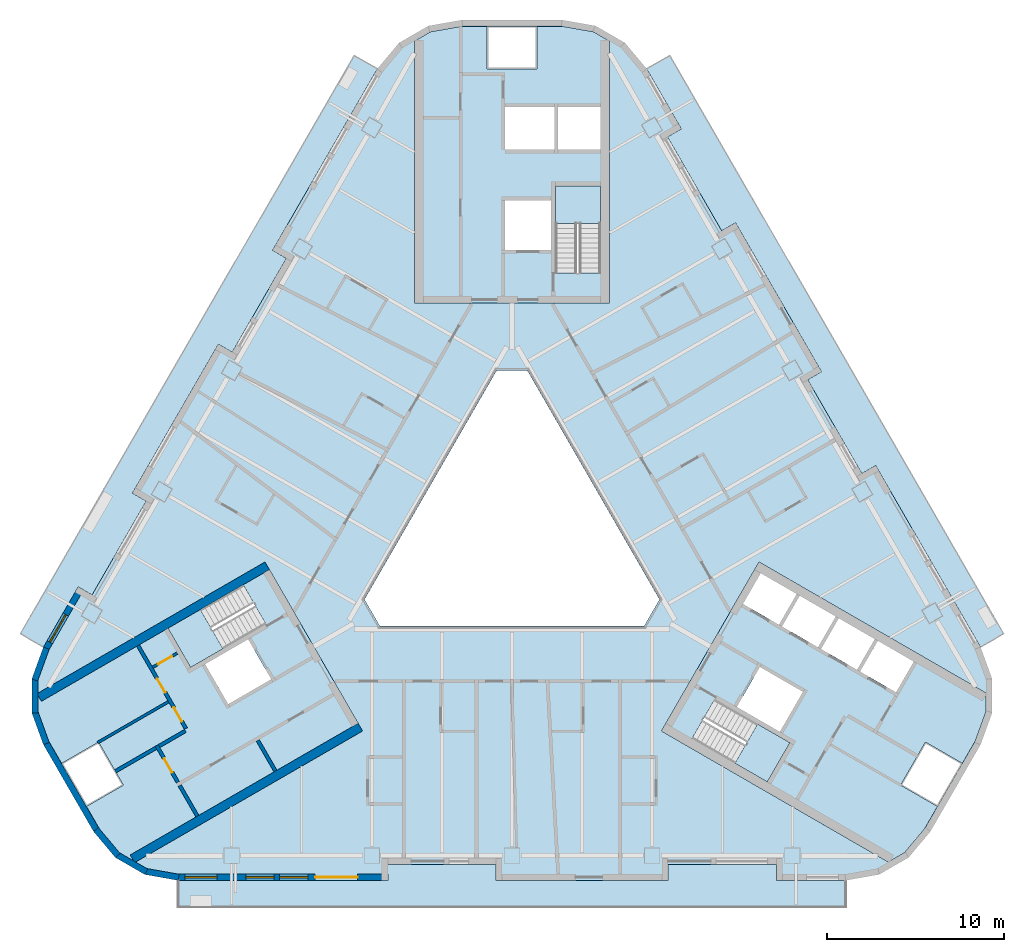
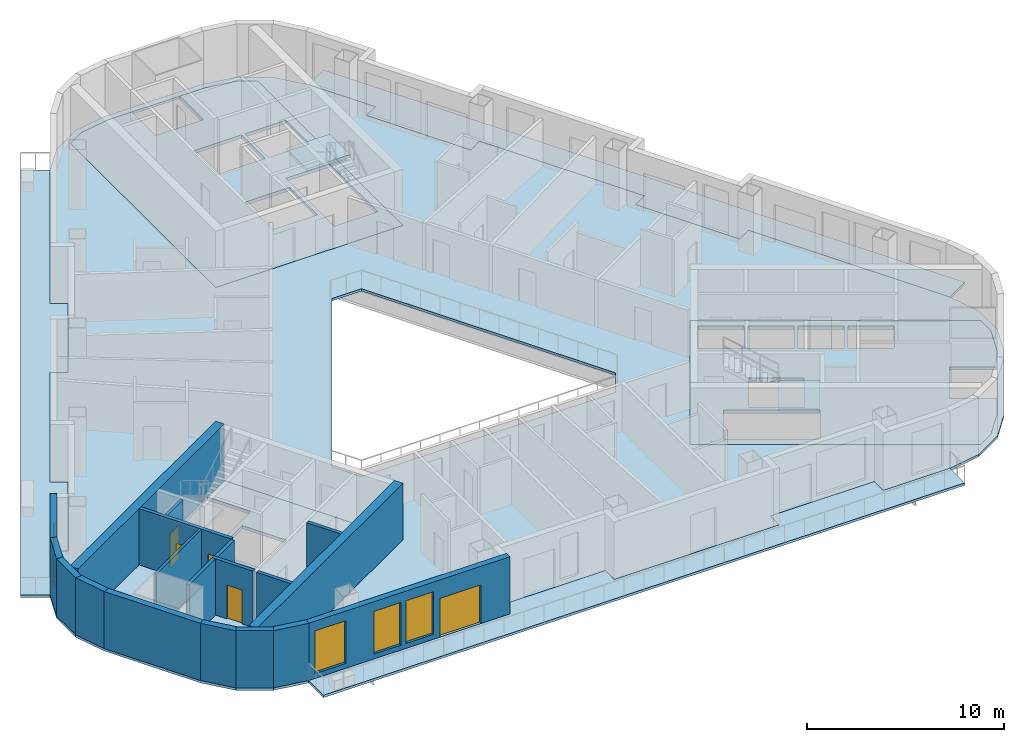
# One storey, part 2 of 14: 19 walls, 10 slabs, 5 doors, 4 windows, 9 openings, 3 elements without a shape of their own.
"""IFC4 building model written with IfcOpenShell, lengths in metres."""

from ifc_helpers import new_model, si_unit, direction, frame, frame_2d, origin, place, context, subcontext, project, spatial, polyline, rectangle, outline, extrude, material, layer, layer_set, type_object, element, fill, aggregate, save


model = new_model("IFC4")

# Units and contexts
model_context = context("Model", 3, precision=1e-05, world=origin(), true_north=direction((0.0, 1.0)))
body_context = subcontext(model_context, "Body", "Model", "MODEL_VIEW")
ifc_project = project(units=[si_unit("LENGTHUNIT", "METRE"), si_unit("AREAUNIT", "SQUARE_METRE"), si_unit("VOLUMEUNIT", "CUBIC_METRE"), si_unit("PLANEANGLEUNIT", "RADIAN"), si_unit("MASSUNIT", "GRAM", prefix="KILO")], contexts=[model_context])

# Site, building, storey
site_placement = place(None, origin())
site = spatial("IfcSite", under=ifc_project, at=site_placement, CompositionType="ELEMENT")
building_placement = place(site_placement, origin())
building = spatial("IfcBuilding", under=site, at=building_placement, Name="Apuvela Tower Hotel", CompositionType="ELEMENT")
storey_placement = place(building_placement, frame((0.0, 0.0, 87.199951171875)))
storey = spatial("IfcBuildingStorey", under=building, at=storey_placement, Name="L19", CompositionType="ELEMENT", Elevation=87.199951171875)

# Slabs
ifc_material_1 = material(Name="Concrete C50/60", Category="concrete")
ifc_layer_1 = layer(ifc_material_1, 0.199951171875)
ifc_layer_set_1 = layer_set([ifc_layer_1], Name="COR-FLOOR-200")
slab_type_1 = type_object("IfcSlabType", Name="COR-FLOOR-200", PredefinedType="FLOOR", material=ifc_layer_set_1)
slab_1_placement = place(storey_placement, frame((0.0, 0.0, -0.199951171875)))
element("IfcSlab", 1, at=slab_1_placement, inside=storey, type_object=slab_type_1, Name="Core floor N", PredefinedType="FLOOR", context=body_context, shape_type="SweptSolid", body=[
    extrude(outline(polyline([(5.5, 27.668212890625), (4.588623046875, 28.1943359375), (2.85498046875, 28.5), (1.39990234375, 28.5), (1.39990234375, 26.10009765625), (-1.39990234375, 26.10009765625), (-1.39990234375, 28.5), (-2.85498046875, 28.5), (-4.588623046875, 28.1943359375), (-5.5, 27.668212890625), (-5.5, 12.89990234375), (5.5, 12.89990234375), (5.5, 27.668212890625)]), holes=[polyline([(5.0, 14.60595703125), (2.449951171875, 14.60595703125), (2.449951171875, 19.5), (5.0, 19.5), (5.0, 14.60595703125)]), polyline([(2.199951171875, 15.89990234375), (-0.39990234375, 15.89990234375), (-0.39990234375, 18.699951171875), (2.199951171875, 18.699951171875), (2.199951171875, 15.89990234375)]), polyline([(5.0, 21.550048828125), (2.60009765625, 21.550048828125), (2.60009765625, 23.949951171875), (5.0, 23.949951171875), (5.0, 21.550048828125)]), polyline([(2.39990234375, 21.550048828125), (-0.39990234375, 21.550048828125), (-0.39990234375, 23.949951171875), (2.39990234375, 23.949951171875), (2.39990234375, 21.550048828125)])]), origin(), (0.0, 0.0, 1.0), 0.199951171875),
])
slab_2_placement = place(storey_placement, frame((0.0, 0.0, -0.199951171875)))
element("IfcSlab", 2, at=slab_2_placement, inside=storey, type_object=slab_type_1, Name="Core floor SW", PredefinedType="FLOOR", context=body_context, shape_type="SweptSolid", body=[
    extrude(outline(polyline([(-26.711181640625, -9.07080078125), (-26.711181640625, -10.123291015625), (-26.109375, -11.77734375), (-25.381591796875, -13.03759765625), (-23.30322265625, -11.837646484375), (-21.9033203125, -14.262451171875), (-23.981689453125, -15.46240234375), (-23.254150390625, -16.72265625), (-22.122802734375, -18.071044921875), (-21.211181640625, -18.59716796875), (-8.421630859375, -11.213134765625), (-13.921630859375, -1.68701171875), (-26.711181640625, -9.07080078125)]), holes=[polyline([(-13.874267578125, -5.18115234375), (-18.112548828125, -7.628173828125), (-19.387451171875, -5.419921875), (-15.149169921875, -2.972900390625), (-13.874267578125, -5.18115234375)]), polyline([(-13.56982421875, -8.29638671875), (-15.99462890625, -9.6962890625), (-17.294677734375, -7.444580078125), (-14.869873046875, -6.044677734375), (-13.56982421875, -8.29638671875)])]), origin(), (0.0, 0.0, 1.0), 0.199951171875),
])
slab_3_placement = place(storey_placement, frame((0.0, 0.0, -0.199951171875)))
element("IfcSlab", 3, at=slab_3_placement, inside=storey, type_object=slab_type_1, Name="Core floor SE", PredefinedType="FLOOR", context=body_context, shape_type="SweptSolid", body=[
    extrude(outline(polyline([(21.211181640625, -18.59716796875), (22.122802734375, -18.071044921875), (23.254150390625, -16.72265625), (23.981689453125, -15.46240234375), (21.9033203125, -14.262451171875), (23.30322265625, -11.837646484375), (25.381591796875, -13.03759765625), (26.109375, -11.77734375), (26.711181640625, -10.123291015625), (26.711181640625, -9.07080078125), (13.921630859375, -1.68701171875), (8.421630859375, -11.213134765625), (21.211181640625, -18.59716796875)]), holes=[polyline([(13.01806640625, -4.052001953125), (14.01806640625, -2.31982421875), (16.044677734375, -3.489990234375), (15.044677734375, -5.221923828125), (13.01806640625, -4.052001953125)]), polyline([(17.244384765625, -6.491943359375), (15.2177734375, -5.322021484375), (16.2177734375, -3.58984375), (18.244384765625, -4.760009765625), (17.244384765625, -6.491943359375)]), polyline([(14.387451171875, -14.080078125), (10.149169921875, -11.633056640625), (11.42431640625, -9.4248046875), (15.66259765625, -11.871826171875), (14.387451171875, -14.080078125)]), polyline([(12.669921875, -9.855224609375), (13.9697265625, -7.603515625), (16.394775390625, -9.003662109375), (15.0947265625, -11.25537109375), (12.669921875, -9.855224609375)]), polyline([(19.444091796875, -7.761962890625), (17.41748046875, -6.591796875), (18.41748046875, -4.85986328125), (20.444091796875, -6.02978515625), (19.444091796875, -7.761962890625)]), polyline([(21.643798828125, -9.031982421875), (19.6171875, -7.86181640625), (20.6171875, -6.1298828125), (22.643798828125, -7.2998046875), (21.643798828125, -9.031982421875)])]), origin(), (0.0, 0.0, 1.0), 0.199951171875),
])

# Stair, slab
stair_type = type_object("IfcStairType", Name="COR-STAIR-22R", PredefinedType="HALF_TURN_STAIR", material=ifc_material_1)
stair_1_placement = place(storey_placement, origin())
stair_1 = element("IfcStair", 4, at=stair_1_placement, inside=storey, type_object=stair_type, Name="L19 Exit stair ST1", PredefinedType="HALF_TURN_STAIR")
ifc_layer_2 = layer(ifc_material_1, 0.199951171875)
ifc_layer_set_2 = layer_set([ifc_layer_2], Name="COR-LANDING-200")
slab_type_2 = type_object("IfcSlabType", Name="COR-LANDING-200", PredefinedType="LANDING", material=ifc_layer_set_2)
slab_4_placement = place(storey_placement, frame((0.0, 0.0, 1.650146484375)))
slab_4 = element("IfcSlab", 5, at=slab_4_placement, type_object=slab_type_2, Name="ST1 landing 1", PredefinedType="LANDING", context=body_context, shape_type="SweptSolid", body=[
    extrude(outline(polyline([(5.0, 17.39404296875), (5.0, 19.5), (2.449951171875, 19.5), (2.449951171875, 17.39404296875), (5.0, 17.39404296875)])), origin(), (0.0, 0.0, 1.0), 0.199951171875),
])
aggregate(stair_1, [slab_4])

stair_2_placement = place(storey_placement, origin())
stair_2 = element("IfcStair", 6, at=stair_2_placement, inside=storey, type_object=stair_type, Name="L19 Exit stair ST2", PredefinedType="HALF_TURN_STAIR")
slab_5_placement = place(storey_placement, frame((0.0, 0.0, 1.650146484375)))
slab_5 = element("IfcSlab", 7, at=slab_5_placement, type_object=slab_type_2, Name="ST2 landing 1", PredefinedType="LANDING", context=body_context, shape_type="SweptSolid", body=[
    extrude(outline(polyline([(-17.563720703125, -4.366943359375), (-19.387451171875, -5.419921875), (-18.112548828125, -7.628173828125), (-16.28857421875, -6.5751953125), (-17.563720703125, -4.366943359375)])), origin(), (0.0, 0.0, 1.0), 0.199951171875),
])
aggregate(stair_2, [slab_5])

stair_3_placement = place(storey_placement, origin())
stair_3 = element("IfcStair", 8, at=stair_3_placement, inside=storey, type_object=stair_type, Name="L19 Exit stair ST3", PredefinedType="HALF_TURN_STAIR")
slab_6_placement = place(storey_placement, frame((0.0, 0.0, 1.650146484375)))
slab_6 = element("IfcSlab", 9, at=slab_6_placement, type_object=slab_type_2, Name="ST3 landing 1", PredefinedType="LANDING", context=body_context, shape_type="SweptSolid", body=[
    extrude(outline(polyline([(12.563720703125, -13.027099609375), (14.387451171875, -14.080078125), (15.66259765625, -11.871826171875), (13.838623046875, -10.81884765625), (12.563720703125, -13.027099609375)])), origin(), (0.0, 0.0, 1.0), 0.199951171875),
])
aggregate(stair_3, [slab_6])

# Slabs
ifc_material_2 = material(Name="Concrete C40/50, fair-faced", Category="concrete")
ifc_layer_3 = layer(ifc_material_2, 0.14990234375)
ifc_layer_set_3 = layer_set([ifc_layer_3], Name="ENV-BALCONY-150")
slab_type_3 = type_object("IfcSlabType", Name="ENV-BALCONY-150", PredefinedType="FLOOR", material=ifc_layer_set_3)
slab_7_placement = place(storey_placement, frame((0.0, 0.0, -0.14990234375)))
element("IfcSlab", 10, at=slab_7_placement, inside=storey, type_object=slab_type_3, Name="Balcony slab S L19", PredefinedType="FLOOR", context=body_context, shape_type="SweptSolid", body=[
    extrude(outline(polyline([(18.82080078125, -21.135009765625), (-18.82080078125, -21.135009765625), (-18.82080078125, -19.625), (-7.0048828125, -19.625), (-7.0048828125, -18.72509765625), (-0.89501953125, -18.72509765625), (-0.89501953125, -19.625), (8.794921875, -19.625), (8.794921875, -18.72509765625), (14.905029296875, -18.72509765625), (14.905029296875, -19.625), (18.82080078125, -19.625), (18.82080078125, -21.135009765625)])), origin(), (0.0, 0.0, 1.0), 0.14990234375),
])
slab_8_placement = place(storey_placement, frame((0.0, 0.0, -0.14990234375)))
element("IfcSlab", 11, at=slab_8_placement, inside=storey, type_object=slab_type_3, Name="Balcony slab NE L19", PredefinedType="FLOOR", context=body_context, shape_type="SweptSolid", body=[
    extrude(outline(polyline([(17.443359375, 9.037353515625), (12.598388671875, 17.42919921875), (11.81884765625, 16.979248046875), (8.763916015625, 22.2705078125), (9.543212890625, 22.720703125), (7.585205078125, 26.11181640625), (8.89306640625, 26.86669921875), (27.7138671875, -5.731689453125), (26.40625, -6.48681640625), (20.498291015625, 3.74609375), (19.71875, 3.2958984375), (16.663818359375, 8.58740234375), (17.443359375, 9.037353515625)])), origin(), (0.0, 0.0, 1.0), 0.14990234375),
])
slab_9_placement = place(storey_placement, frame((0.0, 0.0, -0.14990234375)))
element("IfcSlab", 12, at=slab_9_placement, inside=storey, type_object=slab_type_3, Name="Balcony slab NW L19", PredefinedType="FLOOR", context=body_context, shape_type="SweptSolid", body=[
    extrude(outline(polyline([(-27.7138671875, -5.731689453125), (-8.89306640625, 26.86669921875), (-7.585205078125, 26.11181640625), (-13.4931640625, 15.87890625), (-12.7138671875, 15.428955078125), (-15.768798828125, 10.1376953125), (-16.548095703125, 10.587646484375), (-21.393310546875, 2.19580078125), (-20.61376953125, 1.745849609375), (-23.668701171875, -3.545654296875), (-24.4482421875, -3.095703125), (-26.40625, -6.48681640625), (-27.7138671875, -5.731689453125)])), origin(), (0.0, 0.0, 1.0), 0.14990234375),
])
ifc_material_3 = material(Name="Concrete C35/45", Category="concrete")
ifc_layer_4 = layer(ifc_material_3, 0.14990234375)
ifc_layer_set_4 = layer_set([ifc_layer_4], Name="STR-SLAB 150 floor Concrete C35/45")
slab_type_4 = type_object("IfcSlabType", Name="STR-SLAB 150 floor Concrete C35/45", PredefinedType="FLOOR", material=ifc_layer_set_4)
slab_10_placement = place(storey_placement, frame((0.0, 0.0, -0.14990234375)))
element("IfcSlab", 13, at=slab_10_placement, inside=storey, type_object=slab_type_4, Name="Floor slab S4 L19", PredefinedType="FLOOR", context=body_context, shape_type="SweptSolid", body=[
    extrude(outline(polyline([(-6.3642578125, 27.5732421875), (-4.710205078125, 28.5283203125), (-2.8291015625, 28.860107421875), (2.8291015625, 28.860107421875), (4.710205078125, 28.5283203125), (6.3642578125, 27.5732421875), (7.59228515625, 26.110107421875), (9.550048828125, 22.71875), (8.770751953125, 22.268798828125), (11.82080078125, 16.986083984375), (12.60009765625, 17.43603515625), (17.4501953125, 9.035400390625), (16.670654296875, 8.58544921875), (19.720703125, 3.302734375), (20.5, 3.752685546875), (26.407958984375, -6.47998046875), (27.061279296875, -8.27490234375), (27.061279296875, -10.18505859375), (26.407958984375, -11.97998046875), (23.5791015625, -16.8798828125), (22.351318359375, -18.34326171875), (20.697021484375, -19.29833984375), (18.81591796875, -19.6298828125), (14.89990234375, -19.6298828125), (14.89990234375, -18.72998046875), (8.800048828125, -18.72998046875), (8.800048828125, -19.6298828125), (-0.89990234375, -19.6298828125), (-0.89990234375, -18.72998046875), (-7.0, -18.72998046875), (-7.0, -19.6298828125), (-18.81591796875, -19.6298828125), (-20.697021484375, -19.29833984375), (-22.351318359375, -18.34326171875), (-23.5791015625, -16.8798828125), (-26.407958984375, -11.97998046875), (-27.061279296875, -10.18505859375), (-27.061279296875, -8.27490234375), (-26.407958984375, -6.47998046875), (-24.4501953125, -3.088623046875), (-23.670654296875, -3.538818359375), (-20.62060546875, 1.743896484375), (-21.400146484375, 2.194091796875), (-16.550048828125, 10.594482421875), (-15.7705078125, 10.14453125), (-12.720703125, 15.42724609375), (-13.5, 15.877197265625), (-7.59228515625, 26.110107421875), (-6.3642578125, 27.5732421875)]), holes=[polyline([(0.865966796875, 9.10009765625), (-0.865966796875, 9.10009765625), (-8.313720703125, -3.800048828125), (-7.44775390625, -5.300048828125), (7.44775390625, -5.300048828125), (8.313720703125, -3.800048828125), (0.865966796875, 9.10009765625)]), polyline([(-5.5, 12.89990234375), (-5.5, 27.668212890625), (-4.588623046875, 28.1943359375), (-2.85498046875, 28.5), (2.85498046875, 28.5), (4.588623046875, 28.1943359375), (5.5, 27.668212890625), (5.5, 12.89990234375), (-5.5, 12.89990234375)]), polyline([(-8.421630859375, -11.213134765625), (-21.211181640625, -18.59716796875), (-22.122802734375, -18.071044921875), (-23.254150390625, -16.72265625), (-26.109375, -11.77734375), (-26.711181640625, -10.123291015625), (-26.711181640625, -9.07080078125), (-13.921630859375, -1.68701171875), (-8.421630859375, -11.213134765625)]), polyline([(13.921630859375, -1.68701171875), (26.711181640625, -9.07080078125), (26.711181640625, -10.123291015625), (26.109375, -11.77734375), (23.254150390625, -16.72265625), (22.122802734375, -18.071044921875), (21.211181640625, -18.59716796875), (8.421630859375, -11.213134765625), (13.921630859375, -1.68701171875)])]), origin(), (0.0, 0.0, 1.0), 0.14990234375),
])

# Walls
ifc_layer_5 = layer(ifc_material_1, 0.5)
ifc_layer_set_5 = layer_set([ifc_layer_5], Name="COR-WALL-CORE-500")
wall_type_1 = type_object("IfcWallType", Name="COR-WALL-CORE-500", PredefinedType="SHEAR", material=ifc_layer_set_5)
for number, where, z_axis, x_axis, name in (
    (14, (-13.796630859375, -1.9033203125, 0.0), (0.0, 0.0, 1.0), (-0.866025009528, -0.500000682871, 0.0), "Core wall SW"),
    (15, (-8.546630859375, -10.99658203125, 0.0), (0.0, 0.0, 1.0), (-0.866025009528, -0.500000682871, 0.0), "Core wall SW"),
):
    element("IfcWall", number, at=place(storey_placement, frame(where, z_axis=z_axis, x_axis=x_axis)), inside=storey, type_object=wall_type_1, Name=name, PredefinedType="SHEAR", context=body_context, shape_type="SweptSolid", body=[
        extrude(rectangle(XDim=14.8369140625, YDim=0.5, at=frame_2d((7.41845703125, 0.0))), origin(), (0.0, 0.0, 1.0), 3.5),
    ])

# Wall, opening, door
ifc_material_4 = material(Name="Blockwork 150 mm plastered", Category="masonry")
ifc_layer_6 = layer(ifc_material_4, 0.14990234375)
ifc_layer_set_6 = layer_set([ifc_layer_6], Name="COR-WALL-PART-150")
wall_type_2 = type_object("IfcWallType", Name="COR-WALL-PART-150", PredefinedType="PARTITIONING", material=ifc_layer_set_6)
wall_1_placement = place(storey_placement, frame((-18.866455078125, -6.822265625, 0.0), z_axis=(0.0, 0.0, 1.0), x_axis=(-0.866028054938, -0.499995408039, 0.0)))
wall_1 = element("IfcWall", 16, at=wall_1_placement, inside=storey, type_object=wall_type_2, Name="Partition SW", PredefinedType="PARTITIONING", context=body_context, shape_type="SweptSolid", body=[
    extrude(rectangle(XDim=1.60009765625, YDim=0.14990234375, at=frame_2d((0.800048828125, 0.0))), origin(), (0.0, 0.0, 1.0), 3.5),
])
opening_1_placement = place(wall_1_placement, frame((0.35009765625, 0.0, 0.0)))
opening_1 = element("IfcOpeningElement", 17, at=opening_1_placement, cuts=wall_1, Name="Opening W-RD", PredefinedType="OPENING", context=body_context, shape_type="SweptSolid", body=[
    extrude(rectangle(XDim=0.89990234375, YDim=2.10009765625, at=frame_2d((0.449951171875, 1.050048828125))), frame((0.0, 0.0849609375, 0.0), z_axis=(0.0, -1.0, 0.0), x_axis=(1.0, 0.0, 0.0)), (0.0, 0.0, 1.0), 0.169921875),
])
ifc_material_5 = material(Name="Steel access door, powder coated", Category="steel")
door_type_1 = type_object("IfcDoorType", Name="COR-RD-900", OperationType="NOTDEFINED", PredefinedType="DOOR", material=ifc_material_5)
door_1_placement = place(opening_1_placement, frame((0.89990234375, 0.0, 0.0), z_axis=(0.0, 0.0, 1.0), x_axis=(-1.0, 0.0, 0.0)))
door_1 = element("IfcDoor", 18, at=door_1_placement, inside=storey, type_object=door_type_1, Name="Riser door W-RD", OperationType="SINGLE_SWING_RIGHT", OverallHeight=2.10009765625, OverallWidth=0.89990234375, PredefinedType="DOOR", context=body_context, shape_type="SweptSolid", body=[
    extrude(rectangle(XDim=0.89990234375, YDim=2.10009765625, at=frame_2d((0.449951171875, 1.050048828125))), frame((0.0, 0.02490234375, 0.0), z_axis=(0.0, -1.0, 0.0), x_axis=(1.0, 0.0, 0.0)), (0.0, 0.0, 1.0), 0.050048828125),
])
fill(opening_1, door_1)

# Wall
wall_2_placement = place(storey_placement, frame((-19.36279296875, -9.5625, 0.0), z_axis=(0.0, 0.0, 1.0), x_axis=(-0.86601185002, -0.500023475074, 0.0)))
element("IfcWall", 19, at=wall_2_placement, inside=storey, type_object=wall_type_2, Name="Partition SW", PredefinedType="PARTITIONING", context=body_context, shape_type="SweptSolid", body=[
    extrude(rectangle(XDim=4.610107421875, YDim=0.14990234375, at=frame_2d((2.30517578125, 0.0))), origin(), (0.0, 0.0, 1.0), 3.5),
])

# Wall, openings, doors
ifc_material_6 = material(Name="Blockwork 200 mm plastered", Category="masonry")
ifc_layer_7 = layer(ifc_material_6, 0.199951171875)
ifc_layer_set_7 = layer_set([ifc_layer_7], Name="COR-WALL-PART-200")
wall_type_3 = type_object("IfcWallType", Name="COR-WALL-PART-200", PredefinedType="PARTITIONING", material=ifc_layer_set_7)
wall_3_placement = place(storey_placement, frame((-21.076171875, -6.39501953125, 0.0), z_axis=(0.0, 0.0, 1.0), x_axis=(0.50001468107, -0.866016927499, 0.0)))
wall_3 = element("IfcWall", 20, at=wall_3_placement, inside=storey, type_object=wall_type_3, Name="Partition SW", PredefinedType="PARTITIONING", context=body_context, shape_type="SweptSolid", body=[
    extrude(rectangle(XDim=5.399658203125, YDim=0.199951171875, at=frame_2d((2.69970703125, 0.0))), origin(), (0.0, 0.0, 1.0), 3.5),
])
opening_2_placement = place(wall_3_placement, frame((2.16259765625, 0.0, 0.0)))
opening_2 = element("IfcOpeningElement", 21, at=opening_2_placement, cuts=wall_3, Name="Opening W-RS1", PredefinedType="OPENING", context=body_context, shape_type="SweptSolid", body=[
    extrude(rectangle(XDim=0.89990234375, YDim=2.10009765625, at=frame_2d((0.449951171875, 1.050048828125))), frame((0.0, 0.10986328125, 0.0), z_axis=(0.0, -1.0, 0.0), x_axis=(1.0, 0.0, 0.0)), (0.0, 0.0, 1.0), 0.219970703125),
])
opening_3_placement = place(wall_3_placement, frame((4.03759765625, 0.0, 0.0)))
opening_3 = element("IfcOpeningElement", 22, at=opening_3_placement, cuts=wall_3, Name="Opening W-RS2", PredefinedType="OPENING", context=body_context, shape_type="SweptSolid", body=[
    extrude(rectangle(XDim=0.89990234375, YDim=2.10009765625, at=frame_2d((0.449951171875, 1.050048828125))), frame((0.0, 0.10986328125, 0.0), z_axis=(0.0, -1.0, 0.0), x_axis=(1.0, 0.0, 0.0)), (0.0, 0.0, 1.0), 0.219970703125),
])
ifc_material_7 = material(Name="Steel fire door, powder coated", Category="steel")
door_type_2 = type_object("IfcDoorType", Name="COR-DR-900", OperationType="NOTDEFINED", PredefinedType="DOOR", material=ifc_material_7)
door_2_placement = place(opening_2_placement, frame((0.89990234375, 0.0, 0.0), z_axis=(0.0, 0.0, 1.0), x_axis=(-1.0, 0.0, 0.0)))
door_2 = element("IfcDoor", 23, at=door_2_placement, inside=storey, type_object=door_type_2, Name="Store door W-RS1", OperationType="SINGLE_SWING_LEFT", OverallHeight=2.10009765625, OverallWidth=0.89990234375, PredefinedType="DOOR", context=body_context, shape_type="SweptSolid", body=[
    extrude(rectangle(XDim=0.89990234375, YDim=2.10009765625, at=frame_2d((0.449951171875, 1.050048828125))), frame((0.0, 0.02490234375, 0.0), z_axis=(0.0, -1.0, 0.0), x_axis=(1.0, 0.0, 0.0)), (0.0, 0.0, 1.0), 0.050048828125),
])
fill(opening_2, door_2)
door_3_placement = place(opening_3_placement, frame((0.89990234375, 0.0, 0.0), z_axis=(0.0, 0.0, 1.0), x_axis=(-1.0, 0.0, 0.0)))
door_3 = element("IfcDoor", 24, at=door_3_placement, inside=storey, type_object=door_type_2, Name="Store door W-RS2", OperationType="SINGLE_SWING_LEFT", OverallHeight=2.10009765625, OverallWidth=0.89990234375, PredefinedType="DOOR", context=body_context, shape_type="SweptSolid", body=[
    extrude(rectangle(XDim=0.89990234375, YDim=2.10009765625, at=frame_2d((0.449951171875, 1.050048828125))), frame((0.0, 0.02490234375, 0.0), z_axis=(0.0, -1.0, 0.0), x_axis=(1.0, 0.0, 0.0)), (0.0, 0.0, 1.0), 0.050048828125),
])
fill(opening_3, door_3)

# Wall, opening, door
ifc_layer_8 = layer(ifc_material_1, 0.199951171875)
ifc_layer_set_8 = layer_set([ifc_layer_8], Name="COR-WALL-SHAFT-200")
wall_type_4 = type_object("IfcWallType", Name="COR-WALL-SHAFT-200", PredefinedType="SHEAR", material=ifc_layer_set_8)
wall_4_placement = place(storey_placement, frame((-20.030517578125, -12.0263671875, 0.0), z_axis=(0.0, 0.0, 1.0), x_axis=(0.500033551112, -0.866006032174, 0.0)))
wall_4 = element("IfcWall", 25, at=wall_4_placement, inside=storey, type_object=wall_type_4, Name="Shaft wall SW", PredefinedType="SHEAR", context=body_context, shape_type="SweptSolid", body=[
    extrude(rectangle(XDim=2.400146484375, YDim=0.199951171875, at=frame_2d((1.2001953125, 0.0))), origin(), (0.0, 0.0, 1.0), 3.5),
])
opening_4_placement = place(wall_4_placement, frame((0.85009765625, 0.0, 0.0)))
opening_4 = element("IfcOpeningElement", 26, at=opening_4_placement, cuts=wall_4, Name="Opening W-REP", PredefinedType="OPENING", context=body_context, shape_type="SweptSolid", body=[
    extrude(rectangle(XDim=0.89990234375, YDim=2.10009765625, at=frame_2d((0.449951171875, 1.050048828125))), frame((0.0, 0.10986328125, 0.0), z_axis=(0.0, -1.0, 0.0), x_axis=(1.0, 0.0, 0.0)), (0.0, 0.0, 1.0), 0.219970703125),
])
door_4_placement = place(opening_4_placement, frame((0.89990234375, 0.0, 0.0), z_axis=(0.0, 0.0, 1.0), x_axis=(-1.0, 0.0, 0.0)))
door_4 = element("IfcDoor", 27, at=door_4_placement, inside=storey, type_object=door_type_2, Name="Store door W-REP", OperationType="SINGLE_SWING_LEFT", OverallHeight=2.10009765625, OverallWidth=0.89990234375, PredefinedType="DOOR", context=body_context, shape_type="SweptSolid", body=[
    extrude(rectangle(XDim=0.89990234375, YDim=2.10009765625, at=frame_2d((0.449951171875, 1.050048828125))), frame((0.0, 0.02490234375, 0.0), z_axis=(0.0, -1.0, 0.0), x_axis=(1.0, 0.0, 0.0)), (0.0, 0.0, 1.0), 0.050048828125),
])
fill(opening_4, door_4)

# Walls
wall_5_placement = place(storey_placement, frame((-18.412841796875, -11.2080078125, 0.0), z_axis=(0.0, 0.0, 1.0), x_axis=(-0.866038183914, -0.499977863513, 0.0)))
element("IfcWall", 28, at=wall_5_placement, inside=storey, type_object=wall_type_4, Name="Shaft wall SW", PredefinedType="SHEAR", context=body_context, shape_type="SweptSolid", body=[
    extrude(rectangle(XDim=1.7099609375, YDim=0.199951171875, at=frame_2d((0.85498046875, 0.0))), origin(), (0.0, 0.0, 1.0), 3.5),
])
for number, where, z_axis, x_axis, name in (
    (29, (-14.330810546875, -11.738037109375, 0.0), (0.0, 0.0, 1.0), (0.499972520799, -0.866041268327, 0.0), "Shaft wall SW"),
    (30, (-18.73046875, -14.278076171875, 0.0), (0.0, 0.0, 1.0), (0.50002537861, -0.866010750942, 0.0), "Shaft wall SW"),
):
    element("IfcWall", number, at=place(storey_placement, frame(where, z_axis=z_axis, x_axis=x_axis)), inside=storey, type_object=wall_type_4, Name=name, PredefinedType="SHEAR", context=body_context, shape_type="SweptSolid", body=[
        extrude(rectangle(XDim=2.0, YDim=0.199951171875, at=frame_2d((1.0, 0.0))), origin(), (0.0, 0.0, 1.0), 3.5),
    ])
wall_6_placement = place(storey_placement, frame((-20.06689453125, -12.1630859375, 0.0), z_axis=(0.0, 0.0, 1.0), x_axis=(-0.866060851709, -0.499938597367, 0.0)))
element("IfcWall", 31, at=wall_6_placement, inside=storey, type_object=wall_type_4, Name="Shaft wall SW", PredefinedType="SHEAR", context=body_context, shape_type="SweptSolid", body=[
    extrude(rectangle(XDim=2.639892578125, YDim=0.199951171875, at=frame_2d((1.31982421875, 0.0))), origin(), (0.0, 0.0, 1.0), 3.5),
])

# Wall, opening, window
ifc_material_8 = material(Name="Concrete C40/50, dark pigmented precast panel", Category="concrete")
ifc_layer_9 = layer(ifc_material_8, 0.35009765625)
ifc_layer_set_9 = layer_set([ifc_layer_9], Name="ENV-WALL-350")
wall_type_5 = type_object("IfcWallType", Name="ENV-WALL-350", PredefinedType="SOLIDWALL", material=ifc_layer_set_9)
wall_7_placement = place(storey_placement, frame((-24.298583984375, -3.17626953125, 0.0), z_axis=(0.0, 0.0, 1.0), x_axis=(-0.500028278809, -0.866009076391, 0.0)))
wall_7 = element("IfcWall", 32, at=wall_7_placement, inside=storey, type_object=wall_type_5, Name="External wall L19-09", PredefinedType="SOLIDWALL", context=body_context, shape_type="SweptSolid", body=[
    extrude(rectangle(XDim=3.915771484375, YDim=0.35009765625, at=frame_2d((1.9580078125, 0.0))), origin(), (0.0, 0.0, 1.0), 3.550048828125),
])
opening_5_placement = place(wall_7_placement, frame((1.699951171875, 0.0, 0.300048828125)))
opening_5 = element("IfcOpeningElement", 33, at=opening_5_placement, cuts=wall_7, Name="Opening WN18", PredefinedType="OPENING", context=body_context, shape_type="SweptSolid", body=[
    extrude(rectangle(XDim=1.800048828125, YDim=2.64990234375, at=frame_2d((0.89990234375, 1.324951171875))), frame((0.0, 0.18505859375, 0.0), z_axis=(0.0, -1.0, 0.0), x_axis=(1.0, 0.0, 0.0)), (0.0, 0.0, 1.0), 0.3701171875),
])
ifc_material_9 = material(Name="Glass, dark tinted laminated insulated glazing unit", Category="glass")
window_type_1 = type_object("IfcWindowType", Name="ENV-WIN-1800x2650", PartitioningType="SINGLE_PANEL", PredefinedType="WINDOW", material=ifc_material_9)
window_1_placement = place(opening_5_placement, origin())
window_1 = element("IfcWindow", 34, at=window_1_placement, inside=storey, type_object=window_type_1, Name="Window WN18", OverallHeight=2.64990234375, OverallWidth=1.800048828125, PartitioningType="SINGLE_PANEL", PredefinedType="WINDOW", context=body_context, shape_type="SweptSolid", body=[
    extrude(rectangle(XDim=1.800048828125, YDim=2.64990234375, at=frame_2d((0.89990234375, 1.324951171875))), frame((0.0, 0.030029296875, 0.0), z_axis=(0.0, -1.0, 0.0), x_axis=(1.0, 0.0, 0.0)), (0.0, 0.0, 1.0), 0.06005859375),
])
fill(opening_5, window_1)

# Walls
for number, where, z_axis, x_axis, name in (
    (35, (-26.24365234375, -6.539794921875, 0.0), (0.0, 0.0, 1.0), (-0.342030395486, -0.939688889242, 0.0), "External wall L19-10"),
    (36, (-26.88623046875, -8.27490234375, 0.0), (0.0, 0.0, 1.0), (0.0, -1.0, 0.0), "External wall L19-11"),
    (37, (-26.89697265625, -10.125244140625, 0.0), (0.0, 0.0, 1.0), (0.342030395486, -0.939688889242, 0.0), "External wall L19-12"),
):
    element("IfcWall", number, at=place(storey_placement, frame(where, z_axis=z_axis, x_axis=x_axis)), inside=storey, type_object=wall_type_5, Name=name, PredefinedType="SOLIDWALL", context=body_context, shape_type="SweptSolid", body=[
        extrude(rectangle(XDim=1.91015625, YDim=0.35009765625, at=frame_2d((0.955078125, 0.0))), origin(), (0.0, 0.0, 1.0), 3.550048828125),
    ])
wall_8_placement = place(storey_placement, frame((-26.256591796875, -11.892578125, 0.0), z_axis=(0.0, 0.0, 1.0), x_axis=(0.500018773155, -0.866014564827, 0.0)))
element("IfcWall", 38, at=wall_8_placement, inside=storey, type_object=wall_type_5, Name="External wall L19-13", PredefinedType="SOLIDWALL", context=body_context, shape_type="SweptSolid", body=[
    extrude(rectangle(XDim=5.657958984375, YDim=0.35009765625, at=frame_2d((2.8291015625, 0.0))), origin(), (0.0, 0.0, 1.0), 3.550048828125),
])
for number, where, z_axis, x_axis, name in (
    (39, (-23.44482421875, -16.767578125, 0.0), (0.0, 0.0, 1.0), (0.642733291068, -0.76609001857, 0.0), "External wall L19-14"),
    (40, (-22.263671875, -18.191650390625, 0.0), (0.0, 0.0, 1.0), (0.866000389056, -0.500043324278, 0.0), "External wall L19-15"),
):
    element("IfcWall", number, at=place(storey_placement, frame(where, z_axis=z_axis, x_axis=x_axis)), inside=storey, type_object=wall_type_5, Name=name, PredefinedType="SOLIDWALL", context=body_context, shape_type="SweptSolid", body=[
        extrude(rectangle(XDim=1.909912109375, YDim=0.35009765625, at=frame_2d((0.955078125, 0.0))), origin(), (0.0, 0.0, 1.0), 3.550048828125),
    ])
wall_9_placement = place(storey_placement, frame((-20.66650390625, -19.1259765625, 0.0), z_axis=(0.0, 0.0, 1.0), x_axis=(0.984798995425, -0.173697837091, 0.0)))
element("IfcWall", 41, at=wall_9_placement, inside=storey, type_object=wall_type_5, Name="External wall L19-16", PredefinedType="SOLIDWALL", context=body_context, shape_type="SweptSolid", body=[
    extrude(rectangle(XDim=1.91015625, YDim=0.35009765625, at=frame_2d((0.955078125, 0.0))), origin(), (0.0, 0.0, 1.0), 3.550048828125),
])

# Wall, openings, door, windows
wall_10_placement = place(storey_placement, frame((-18.81591796875, -19.455078125, 0.0), z_axis=(0.0, 0.0, 1.0), x_axis=(1.0, 0.0, 0.0)))
wall_10 = element("IfcWall", 42, at=wall_10_placement, inside=storey, type_object=wall_type_5, Name="External wall L19-17", PredefinedType="SOLIDWALL", context=body_context, shape_type="SweptSolid", body=[
    extrude(rectangle(XDim=11.81591796875, YDim=0.35009765625, at=frame_2d((5.907958984375, 0.0))), origin(), (0.0, 0.0, 1.0), 3.550048828125),
])
opening_6_placement = place(wall_10_placement, frame((0.380615234375, 0.0, 0.300048828125)))
opening_6 = element("IfcOpeningElement", 43, at=opening_6_placement, cuts=wall_10, Name="Opening WN18", PredefinedType="OPENING", context=body_context, shape_type="SweptSolid", body=[
    extrude(rectangle(XDim=1.800048828125, YDim=2.64990234375, at=frame_2d((0.89990234375, 1.324951171875))), frame((0.0, 0.18505859375, 0.0), z_axis=(0.0, -1.0, 0.0), x_axis=(1.0, 0.0, 0.0)), (0.0, 0.0, 1.0), 0.3701171875),
])
opening_7_placement = place(wall_10_placement, frame((7.71630859375, 0.0, 0.0)))
opening_7 = element("IfcOpeningElement", 44, at=opening_7_placement, cuts=wall_10, Name="Opening BD24", PredefinedType="OPENING", context=body_context, shape_type="SweptSolid", body=[
    extrude(rectangle(XDim=2.39990234375, YDim=2.39990234375, at=frame_2d((1.199951171875, 1.199951171875))), frame((0.0, 0.18505859375, 0.0), z_axis=(0.0, -1.0, 0.0), x_axis=(1.0, 0.0, 0.0)), (0.0, 0.0, 1.0), 0.3701171875),
])
opening_8_placement = place(wall_10_placement, frame((3.816162109375, 0.0, 0.300048828125)))
opening_8 = element("IfcOpeningElement", 45, at=opening_8_placement, cuts=wall_10, Name="Opening WN16", PredefinedType="OPENING", context=body_context, shape_type="SweptSolid", body=[
    extrude(rectangle(XDim=1.60009765625, YDim=2.64990234375, at=frame_2d((0.800048828125, 1.324951171875))), frame((0.0, 0.18505859375, 0.0), z_axis=(0.0, -1.0, 0.0), x_axis=(1.0, 0.0, 0.0)), (0.0, 0.0, 1.0), 0.3701171875),
])
opening_9_placement = place(wall_10_placement, frame((5.71630859375, 0.0, 0.300048828125)))
opening_9 = element("IfcOpeningElement", 46, at=opening_9_placement, cuts=wall_10, Name="Opening WN16", PredefinedType="OPENING", context=body_context, shape_type="SweptSolid", body=[
    extrude(rectangle(XDim=1.60009765625, YDim=2.64990234375, at=frame_2d((0.800048828125, 1.324951171875))), frame((0.0, 0.18505859375, 0.0), z_axis=(0.0, -1.0, 0.0), x_axis=(1.0, 0.0, 0.0)), (0.0, 0.0, 1.0), 0.3701171875),
])
ifc_material_10 = material(Name="Aluminium 6063-T6, dark bronze anodised frame with dark tinted laminated glass", Category="aluminium")
door_type_3 = type_object("IfcDoorType", Name="ENV-DOOR-BALCONY-2400x2400", OperationType="SLIDING_TO_LEFT", PredefinedType="DOOR", material=ifc_material_10)
door_5_placement = place(opening_7_placement, frame((2.39990234375, 0.0, 0.0), z_axis=(0.0, 0.0, 1.0), x_axis=(-1.0, 0.0, 0.0)))
door_5 = element("IfcDoor", 47, at=door_5_placement, inside=storey, type_object=door_type_3, Name="Balcony door BD24", OperationType="SLIDING_TO_LEFT", OverallHeight=2.39990234375, OverallWidth=2.39990234375, PredefinedType="DOOR", context=body_context, shape_type="SweptSolid", body=[
    extrude(rectangle(XDim=2.39990234375, YDim=2.39990234375, at=frame_2d((1.199951171875, 1.199951171875))), frame((0.0, 0.02490234375, 0.0), z_axis=(0.0, -1.0, 0.0), x_axis=(1.0, 0.0, 0.0)), (0.0, 0.0, 1.0), 0.050048828125),
])
fill(opening_7, door_5)
window_type_2 = type_object("IfcWindowType", Name="ENV-WIN-1600x2650", PartitioningType="SINGLE_PANEL", PredefinedType="WINDOW", material=ifc_material_9)
window_2_placement = place(opening_8_placement, origin())
window_2 = element("IfcWindow", 48, at=window_2_placement, inside=storey, type_object=window_type_2, Name="Window WN16", OverallHeight=2.64990234375, OverallWidth=1.60009765625, PartitioningType="SINGLE_PANEL", PredefinedType="WINDOW", context=body_context, shape_type="SweptSolid", body=[
    extrude(rectangle(XDim=1.60009765625, YDim=2.64990234375, at=frame_2d((0.800048828125, 1.324951171875))), frame((0.0, 0.030029296875, 0.0), z_axis=(0.0, -1.0, 0.0), x_axis=(1.0, 0.0, 0.0)), (0.0, 0.0, 1.0), 0.06005859375),
])
fill(opening_8, window_2)
window_3_placement = place(opening_9_placement, origin())
window_3 = element("IfcWindow", 49, at=window_3_placement, inside=storey, type_object=window_type_2, Name="Window WN16", OverallHeight=2.64990234375, OverallWidth=1.60009765625, PartitioningType="SINGLE_PANEL", PredefinedType="WINDOW", context=body_context, shape_type="SweptSolid", body=[
    extrude(rectangle(XDim=1.60009765625, YDim=2.64990234375, at=frame_2d((0.800048828125, 1.324951171875))), frame((0.0, 0.030029296875, 0.0), z_axis=(0.0, -1.0, 0.0), x_axis=(1.0, 0.0, 0.0)), (0.0, 0.0, 1.0), 0.06005859375),
])
fill(opening_9, window_3)
window_4_placement = place(opening_6_placement, origin())
window_4 = element("IfcWindow", 50, at=window_4_placement, inside=storey, type_object=window_type_1, Name="Window WN18", OverallHeight=2.64990234375, OverallWidth=1.800048828125, PartitioningType="SINGLE_PANEL", PredefinedType="WINDOW", context=body_context, shape_type="SweptSolid", body=[
    extrude(rectangle(XDim=1.800048828125, YDim=2.64990234375, at=frame_2d((0.89990234375, 1.324951171875))), frame((0.0, 0.030029296875, 0.0), z_axis=(0.0, -1.0, 0.0), x_axis=(1.0, 0.0, 0.0)), (0.0, 0.0, 1.0), 0.06005859375),
])
fill(opening_6, window_4)

save(model, "model.ifc")
